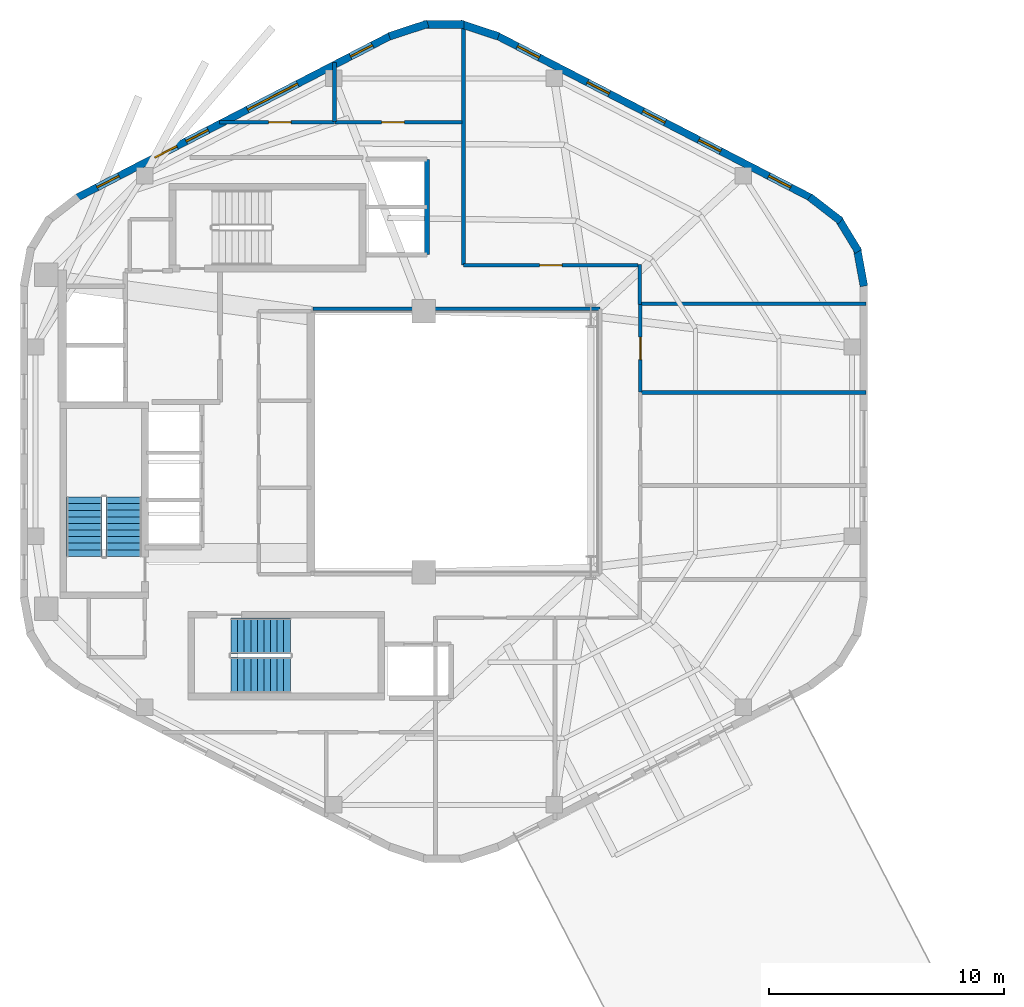
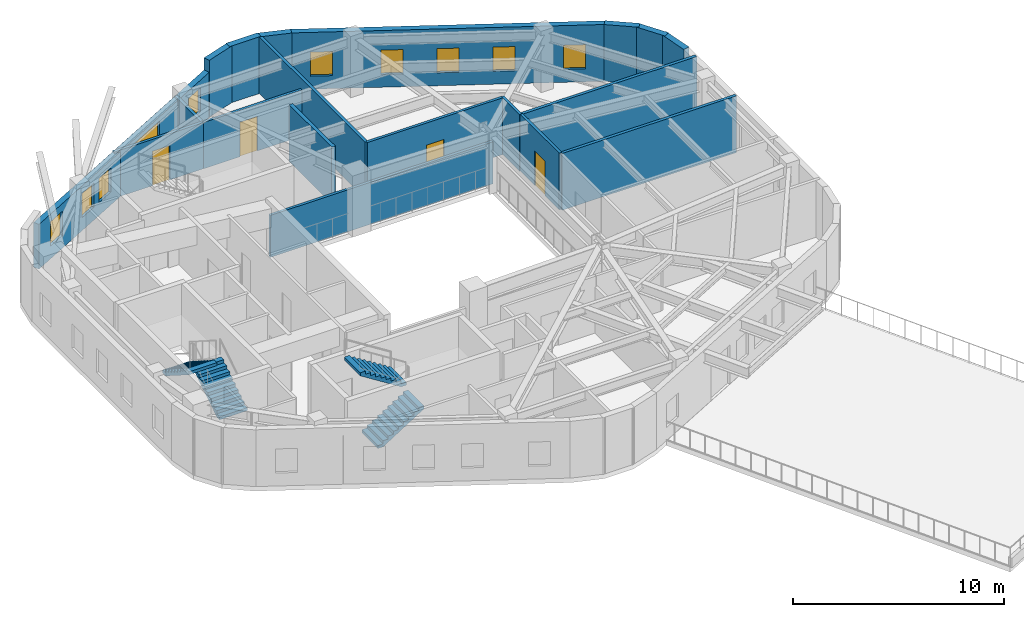
# One storey, part 5 of 8: 19 walls, 10 windows, 4 doors, 4 stair flights, 14 openings, 2 elements without a shape of their own.
"""IFC4 building model written with IfcOpenShell, lengths in metres."""

import ifcopenshell
import ifcopenshell.guid

model = None  # the IFC model being written
_history = None  # IfcOwnerHistory: only IFC2X3 demands one
_inside = {}  # id of a spatial element -> (the spatial element, [elements in it])
_under = {}  # id of a project, library or spatial element -> (it, [spatial elements below it])
_declared = {}  # id of a project -> (the project, [libraries it declares])
_typed = {}  # id of a type object -> (the type object, [elements of that type])
_made_of = {}  # id of a material, layer set ... -> (it, [elements and type objects made of it])


def new_model(schema):
    """Start an empty IFC model of exactly this schema.

    Asked for "IFC4X3", IfcOpenShell would pick the latest addendum, in which some entities
    have other attributes; the version numbers below select the first issue.
    IFC2X3 requires an IfcOwnerHistory on every rooted entity: one is made here for all.
    """
    global model, _history
    if schema == "IFC4X3":
        model = ifcopenshell.file(schema_version=(4, 3, 0, 0))
    else:
        model = ifcopenshell.file(schema=schema)
    _inside.clear()
    _under.clear()
    _declared.clear()
    _typed.clear()
    _made_of.clear()
    _history = None
    if model.schema == "IFC2X3":
        org = make("IfcOrganization", Name="unknown")
        user = make(
            "IfcPersonAndOrganization",
            ThePerson=make("IfcPerson", FamilyName="unknown"),
            TheOrganization=org,
        )
        app = make(
            "IfcApplication",
            ApplicationDeveloper=org,
            Version="unknown",
            ApplicationFullName="unknown",
            ApplicationIdentifier="unknown",
        )
        _history = make(
            "IfcOwnerHistory",
            OwningUser=user,
            OwningApplication=app,
            ChangeAction="ADDED",
            CreationDate=0,
        )
    return model


def make(cls, **values):
    """One entity of the class cls with the attributes given. An attribute that is None is left unset."""
    return model.create_entity(
        cls, **{name: value for name, value in values.items() if value is not None}
    )


def rooted(cls, **values):
    """An entity with a GlobalId (a new one), such as an element, a storey or a relation."""
    return make(cls, GlobalId=ifcopenshell.guid.new(), OwnerHistory=_history, **values)


def si_unit(unit_type, name, prefix=None):
    """IfcSIUnit, for example si_unit("LENGTHUNIT", "METRE", prefix="MILLI")."""
    return make("IfcSIUnit", UnitType=unit_type, Prefix=prefix, Name=name)


def assignment(units):
    """IfcUnitAssignment: the units of a project."""
    return None if units is None else make("IfcUnitAssignment", Units=units)


def point(xyz):
    """IfcCartesianPoint."""
    return None if xyz is None else make("IfcCartesianPoint", Coordinates=xyz)


def direction(xyz):
    """IfcDirection."""
    return None if xyz is None else make("IfcDirection", DirectionRatios=xyz)


def frame(location, z_axis=None, x_axis=None):
    """IfcAxis2Placement3D, a coordinate frame: its origin and axes. An axis left out is left unset."""
    return make(
        "IfcAxis2Placement3D",
        Location=point(location),
        Axis=direction(z_axis),
        RefDirection=direction(x_axis),
    )


def frame_2d(location, x_axis=None):
    """IfcAxis2Placement2D, a coordinate frame in the plane: its origin and x axis."""
    return make(
        "IfcAxis2Placement2D", Location=point(location), RefDirection=direction(x_axis)
    )


def origin():
    """The frame at (0, 0, 0) with its axes left unset."""
    return frame((0.0, 0.0, 0.0))


def place(relative_to, where):
    """IfcLocalPlacement: puts the frame where relative to a parent placement (None: the world)."""
    return make(
        "IfcLocalPlacement", PlacementRelTo=relative_to, RelativePlacement=where
    )


def context(
    kind, dimensions, precision=None, world=None, true_north=None, identifier=None
):
    """IfcGeometricRepresentationContext, for example the 3D "Model" context."""
    return make(
        "IfcGeometricRepresentationContext",
        ContextIdentifier=identifier,
        ContextType=kind,
        CoordinateSpaceDimension=dimensions,
        Precision=precision,
        WorldCoordinateSystem=world,
        TrueNorth=true_north,
    )


def subcontext(parent, identifier, kind, view, scale=None):
    """IfcGeometricRepresentationSubContext, for example "Body" below "Model"."""
    return make(
        "IfcGeometricRepresentationSubContext",
        ContextIdentifier=identifier,
        ContextType=kind,
        ParentContext=parent,
        TargetScale=scale,
        TargetView=view,
    )


def project(units=None, contexts=None):
    """IfcProject with its units and contexts."""
    return rooted(
        "IfcProject",
        Name="project",
        RepresentationContexts=contexts,
        UnitsInContext=assignment(units),
    )


def spatial(cls, under=None, at=None, **own):
    """A site, building, storey or space (cls), placed at a placement, below another one or the project."""
    s = rooted(cls, ObjectPlacement=at, **own)
    if under is not None:
        _under.setdefault(under.id(), (under, []))[1].append(s)
    return s


def polyline(points):
    """IfcPolyline through the points."""
    return make("IfcPolyline", Points=[point(p) for p in points])


def profile(cls, at=None, kind="AREA", **sizes):
    """A parametric profile (cls). Its sizes go by their IFC names, for example OverallWidth=200.0."""
    return make(cls, ProfileType=kind, Position=at, **sizes)


def rectangle(**sizes):
    """IfcRectangleProfileDef."""
    return profile("IfcRectangleProfileDef", **sizes)


def outline(outer, holes=None, kind="AREA"):
    """IfcArbitraryClosedProfileDef: a profile drawn as a closed curve; with holes, ...WithVoids."""
    if holes is None:
        return make("IfcArbitraryClosedProfileDef", ProfileType=kind, OuterCurve=outer)
    return make(
        "IfcArbitraryProfileDefWithVoids",
        ProfileType=kind,
        OuterCurve=outer,
        InnerCurves=holes,
    )


def extrude(swept, where, along, depth):
    """IfcExtrudedAreaSolid: the profile swept, set in the frame where, extruded along a direction by depth."""
    return make(
        "IfcExtrudedAreaSolid",
        SweptArea=swept,
        Position=where,
        ExtrudedDirection=direction(along),
        Depth=depth,
    )


def shape(context_of_items, identifier, shape_type, items):
    """IfcShapeRepresentation: the items that make up one representation, for example the "Body"."""
    return make(
        "IfcShapeRepresentation",
        ContextOfItems=context_of_items,
        RepresentationIdentifier=identifier,
        RepresentationType=shape_type,
        Items=items,
    )


def material(Name=None, Category=None):
    """IfcMaterial."""
    return make("IfcMaterial", Name=Name, Category=Category)


def layer(
    of_material, thickness, ventilated=None, Name=None, Category=None, Priority=None
):
    """IfcMaterialLayer: one layer of a wall or slab, of a material (None: an air gap)."""
    return make(
        "IfcMaterialLayer",
        Material=of_material,
        LayerThickness=thickness,
        IsVentilated=ventilated,
        Name=Name,
        Category=Category,
        Priority=Priority,
    )


def layer_set(layers, Name=None):
    """IfcMaterialLayerSet."""
    return make("IfcMaterialLayerSet", MaterialLayers=layers, LayerSetName=Name)


def made_of(thing, what):
    """Note that an element or type object is made of a material, layer set ...; save() writes the relation."""
    if what is not None:
        _made_of.setdefault(what.id(), (what, []))[1].append(thing)
    return thing


def type_object(cls, material=None, **own):
    """A type object (cls), such as IfcWallType, which elements share."""
    return made_of(rooted(cls, **own), material)


def element(
    cls,
    number,
    at=None,
    inside=None,
    cuts=None,
    type_object=None,
    material=None,
    context=None,
    identifier="Body",
    shape_type=None,
    held_by="IfcProductDefinitionShape",
    body=None,
    shapes=None,
    **own,
):
    """One element of the class cls, such as IfcWall. Its Tag is "e" and its number.

    at: its placement. inside: the storey or other place that contains it. cuts: it is an
    opening in that element (IfcRelVoidsElement). A single representation is given by context,
    identifier, shape_type and body (its items); several are given by shapes. held_by: the class
    of the entity that holds the representations. save() writes the other relations.
    """
    e = rooted(cls, Tag="e%d" % number, ObjectPlacement=at, **own)
    if body is not None:
        shapes = [shape(context, identifier, shape_type, body)]
    if shapes is not None:
        e.Representation = make(held_by, Representations=shapes)
    if inside is not None:
        _inside.setdefault(inside.id(), (inside, []))[1].append(e)
    if cuts is not None:
        rooted(
            "IfcRelVoidsElement", RelatingBuildingElement=cuts, RelatedOpeningElement=e
        )
    if type_object is not None:
        _typed.setdefault(type_object.id(), (type_object, []))[1].append(e)
    return made_of(e, material)


def fill(opening, filler):
    """IfcRelFillsElement: the door or window that sits in an opening."""
    return rooted(
        "IfcRelFillsElement",
        RelatingOpeningElement=opening,
        RelatedBuildingElement=filler,
    )


def aggregate(whole, parts):
    """IfcRelAggregates: a whole, such as a stair, and the parts it consists of."""
    return rooted("IfcRelAggregates", RelatingObject=whole, RelatedObjects=parts)


def save(model, path):
    """Write the relations noted so far, then the file.

    IfcRelAggregates (storeys below a building ...), IfcRelContainedInSpatialStructure (elements
    in a storey), IfcRelDefinesByType, IfcRelAssociatesMaterial and IfcRelDeclares: one each for
    every whole, place, type object, material and project.
    """
    for whole, parts in _under.values():
        aggregate(whole, parts)
    for where, things in _inside.values():
        rooted(
            "IfcRelContainedInSpatialStructure",
            RelatedElements=things,
            RelatingStructure=where,
        )
    for kind, things in _typed.values():
        rooted("IfcRelDefinesByType", RelatedObjects=things, RelatingType=kind)
    for what, things in _made_of.values():
        rooted("IfcRelAssociatesMaterial", RelatedObjects=things, RelatingMaterial=what)
    for by, libraries in _declared.values():
        rooted("IfcRelDeclares", RelatingContext=by, RelatedDefinitions=libraries)
    model.write(path)


model = new_model("IFC4")

# Units and contexts
model_context = context("Model", 3, precision=1e-05, world=origin(), true_north=direction((0.0, 1.0)))
body_context = subcontext(model_context, "Body", "Model", "MODEL_VIEW")
ifc_project = project(units=[si_unit("LENGTHUNIT", "METRE"), si_unit("AREAUNIT", "SQUARE_METRE"), si_unit("VOLUMEUNIT", "CUBIC_METRE"), si_unit("PLANEANGLEUNIT", "RADIAN"), si_unit("MASSUNIT", "GRAM", prefix="KILO"), si_unit("THERMODYNAMICTEMPERATUREUNIT", "KELVIN"), si_unit("POWERUNIT", "WATT")], contexts=[model_context])

# Site, building, storey
site_placement = place(None, origin())
site = spatial("IfcSite", under=ifc_project, at=site_placement, CompositionType="ELEMENT")
building_placement = place(site_placement, origin())
building = spatial("IfcBuilding", under=site, at=building_placement, Name="Skarre Station Tower", CompositionType="ELEMENT")
storey_placement = place(building_placement, frame((0.0, 0.0, 245.449951171875)))
storey = spatial("IfcBuildingStorey", under=building, at=storey_placement, Name="L67", CompositionType="ELEMENT", Elevation=245.449951171875)

# Wall
ifc_material_1 = material(Name="Acoustic Steel-Stud Gypsum Partition", Category="steel")
ifc_layer_1 = layer(ifc_material_1, 0.14990234375, Name="Acoustic Steel-Stud Gypsum Partition")
ifc_layer_set_1 = layer_set([ifc_layer_1], Name="Acoustic Steel-Stud Gypsum Partition")
wall_type_1 = type_object("IfcWallType", Name="Fire-Rated Corridor Acoustic Partition 150", PredefinedType="PARTITIONING", material=ifc_layer_set_1)
wall_1_placement = place(storey_placement, frame((39.840087890625, 29.639892578125, 0.0), z_axis=(0.0, 0.0, 1.0), x_axis=(-1.0, 0.0, 0.0)))
element("IfcWall", 1, at=wall_1_placement, inside=storey, type_object=wall_type_1, Name="L67 Interior Partition WL-PT-L67-ATRW-N", PredefinedType="PARTITIONING", context=body_context, shape_type="SweptSolid", body=[
    extrude(rectangle(XDim=12.203125, YDim=0.14990234375, at=frame_2d((6.1015625, 0.0))), origin(), (0.0, 0.0, 1.0), 2.43115234375),
])

# Wall, opening, door
wall_2_placement = place(storey_placement, frame((28.551025390625, 37.580078125, 0.0), z_axis=(0.0, 0.0, 1.0), x_axis=(-1.0, 0.0, 0.0)))
wall_2 = element("IfcWall", 2, at=wall_2_placement, inside=storey, type_object=wall_type_1, Name="L67 Interior Partition WL-PT-L67-NWW1-CW", PredefinedType="PARTITIONING", context=body_context, shape_type="SweptSolid", body=[
    extrude(rectangle(XDim=4.888916015625, YDim=0.14990234375, at=frame_2d((2.4443359375, 0.0))), origin(), (0.0, 0.0, 1.0), 2.68212890625),
])
opening_1_placement = place(wall_2_placement, frame((1.845947265625, 0.0, 0.0)))
opening_1 = element("IfcOpeningElement", 3, at=opening_1_placement, cuts=wall_2, Name="Opening DR-FD60", PredefinedType="OPENING", context=body_context, shape_type="SweptSolid", body=[
    extrude(rectangle(XDim=0.9599609375, YDim=2.0, at=frame_2d((0.47998046875, 1.0))), frame((0.0, 0.0849609375, 0.0), z_axis=(0.0, -1.0, 0.0), x_axis=(1.0, 0.0, 0.0)), (0.0, 0.0, 1.0), 0.169921875),
])
ifc_material_2 = material(Name="Nordic White-Oak Veneer Solid-Core Fire Leaf", Category="wood")
door_type = type_object("IfcDoorType", Name="Corridor Suite Entry Fire Door FD60 960x2150", OperationType="SINGLE_SWING_LEFT", PredefinedType="DOOR", material=ifc_material_2)
door_1_placement = place(opening_1_placement, origin())
door_1 = element("IfcDoor", 4, at=door_1_placement, inside=storey, type_object=door_type, Name="L67 NWW1 Entry Door", OperationType="SINGLE_SWING_LEFT", OverallHeight=2.0, OverallWidth=0.9599609375, PredefinedType="DOOR", context=body_context, shape_type="SweptSolid", body=[
    extrude(rectangle(XDim=0.9599609375, YDim=2.0, at=frame_2d((0.47998046875, 1.0))), frame((0.0, 0.02490234375, 0.0), z_axis=(0.0, -1.0, 0.0), x_axis=(1.0, 0.0, 0.0)), (0.0, 0.0, 1.0), 0.050048828125),
])
fill(opening_1, door_1)

wall_3_placement = place(storey_placement, frame((33.9619140625, 37.580078125, 0.0), z_axis=(0.0, 0.0, 1.0), x_axis=(-1.0, 0.0, 0.0)))
wall_3 = element("IfcWall", 5, at=wall_3_placement, inside=storey, type_object=wall_type_1, Name="L67 Interior Partition WL-PT-L67-NWW2-CW", PredefinedType="PARTITIONING", context=body_context, shape_type="SweptSolid", body=[
    extrude(rectangle(XDim=5.40087890625, YDim=0.14990234375, at=frame_2d((2.700439453125, 0.0))), origin(), (0.0, 0.0, 1.0), 2.68212890625),
])
opening_2_placement = place(wall_3_placement, frame((2.445068359375, 0.0, 0.0)))
opening_2 = element("IfcOpeningElement", 6, at=opening_2_placement, cuts=wall_3, Name="Opening DR-FD60", PredefinedType="OPENING", context=body_context, shape_type="SweptSolid", body=[
    extrude(rectangle(XDim=0.9599609375, YDim=2.0, at=frame_2d((0.47998046875, 1.0))), frame((0.0, 0.0849609375, 0.0), z_axis=(0.0, -1.0, 0.0), x_axis=(1.0, 0.0, 0.0)), (0.0, 0.0, 1.0), 0.169921875),
])
door_2_placement = place(opening_2_placement, origin())
door_2 = element("IfcDoor", 7, at=door_2_placement, inside=storey, type_object=door_type, Name="L67 NWW2 Entry Door", OperationType="SINGLE_SWING_LEFT", OverallHeight=2.0, OverallWidth=0.9599609375, PredefinedType="DOOR", context=body_context, shape_type="SweptSolid", body=[
    extrude(rectangle(XDim=0.9599609375, YDim=2.0, at=frame_2d((0.47998046875, 1.0))), frame((0.0, 0.02490234375, 0.0), z_axis=(0.0, -1.0, 0.0), x_axis=(1.0, 0.0, 0.0)), (0.0, 0.0, 1.0), 0.050048828125),
])
fill(opening_2, door_2)

# Wall
wall_4_placement = place(storey_placement, frame((41.52001953125, 29.820068359375, 0.0), z_axis=(0.0, 0.0, 1.0), x_axis=(0.0, 1.0, 0.0)))
element("IfcWall", 8, at=wall_4_placement, inside=storey, type_object=wall_type_1, Name="L67 Interior Partition WL-PT-L67-CORR-NER", PredefinedType="PARTITIONING", context=body_context, shape_type="SweptSolid", body=[
    extrude(rectangle(XDim=1.719970703125, YDim=0.14990234375, at=frame_2d((0.85986328125, 0.0))), origin(), (0.0, 0.0, 1.0), 3.2900390625),
])

# Wall, opening, door
wall_5_placement = place(storey_placement, frame((41.4599609375, 31.5, 0.0), z_axis=(0.0, 0.0, 1.0), x_axis=(-1.0, 0.0, 0.0)))
wall_5 = element("IfcWall", 9, at=wall_5_placement, inside=storey, type_object=wall_type_1, Name="L67 Interior Partition WL-PT-L67-NW1-CW", PredefinedType="PARTITIONING", context=body_context, shape_type="SweptSolid", body=[
    extrude(rectangle(XDim=7.419921875, YDim=0.14990234375, at=frame_2d((3.7099609375, 0.0))), origin(), (0.0, 0.0, 1.0), 3.2900390625),
])
opening_3_placement = place(wall_5_placement, frame((3.22998046875, 0.0, 0.0)))
opening_3 = element("IfcOpeningElement", 10, at=opening_3_placement, cuts=wall_5, Name="Opening DR-FD60", PredefinedType="OPENING", context=body_context, shape_type="SweptSolid", body=[
    extrude(rectangle(XDim=0.9599609375, YDim=2.0, at=frame_2d((0.47998046875, 1.0))), frame((0.0, 0.0849609375, 0.0), z_axis=(0.0, -1.0, 0.0), x_axis=(1.0, 0.0, 0.0)), (0.0, 0.0, 1.0), 0.169921875),
])
door_3_placement = place(opening_3_placement, origin())
door_3 = element("IfcDoor", 11, at=door_3_placement, inside=storey, type_object=door_type, Name="L67 NW1 Entry Door", OperationType="SINGLE_SWING_LEFT", OverallHeight=2.0, OverallWidth=0.9599609375, PredefinedType="DOOR", context=body_context, shape_type="SweptSolid", body=[
    extrude(rectangle(XDim=0.9599609375, YDim=2.0, at=frame_2d((0.47998046875, 1.0))), frame((0.0, 0.02490234375, 0.0), z_axis=(0.0, -1.0, 0.0), x_axis=(1.0, 0.0, 0.0)), (0.0, 0.0, 1.0), 0.050048828125),
])
fill(opening_3, door_3)

wall_6_placement = place(storey_placement, frame((41.56005859375, 26.113037109375, 0.0), z_axis=(0.0, 0.0, 1.0), x_axis=(0.0, 1.0, 0.0)))
wall_6 = element("IfcWall", 12, at=wall_6_placement, inside=storey, type_object=wall_type_1, Name="L67 Interior Partition WL-PT-L67-EW3-CW", PredefinedType="PARTITIONING", context=body_context, shape_type="SweptSolid", body=[
    extrude(rectangle(XDim=3.70703125, YDim=0.14990234375, at=frame_2d((1.853515625, 0.0))), origin(), (0.0, 0.0, 1.0), 3.2900390625),
])
opening_4_placement = place(wall_6_placement, frame((1.3740234375, 0.0, 0.0)))
opening_4 = element("IfcOpeningElement", 13, at=opening_4_placement, cuts=wall_6, Name="Opening DR-FD60", PredefinedType="OPENING", context=body_context, shape_type="SweptSolid", body=[
    extrude(rectangle(XDim=0.9599609375, YDim=2.0, at=frame_2d((0.47998046875, 1.0))), frame((0.0, 0.0849609375, 0.0), z_axis=(0.0, -1.0, 0.0), x_axis=(1.0, 0.0, 0.0)), (0.0, 0.0, 1.0), 0.169921875),
])
door_4_placement = place(opening_4_placement, origin())
door_4 = element("IfcDoor", 14, at=door_4_placement, inside=storey, type_object=door_type, Name="L67 EW3 Entry Door", OperationType="SINGLE_SWING_LEFT", OverallHeight=2.0, OverallWidth=0.9599609375, PredefinedType="DOOR", context=body_context, shape_type="SweptSolid", body=[
    extrude(rectangle(XDim=0.9599609375, YDim=2.0, at=frame_2d((0.47998046875, 1.0))), frame((0.0, 0.02490234375, 0.0), z_axis=(0.0, -1.0, 0.0), x_axis=(1.0, 0.0, 0.0)), (0.0, 0.0, 1.0), 0.050048828125),
])
fill(opening_4, door_4)

# Walls
ifc_material_3 = material(Name="Precast concrete C45/55", Category="concrete")
ifc_layer_2 = layer(ifc_material_3, 0.330078125, Name="Precast concrete C45/55")
ifc_layer_set_2 = layer_set([ifc_layer_2], Name="Precast concrete C45/55")
wall_type_2 = type_object("IfcWallType", Name="Nordic Rounded Corner Precast Wall 330", PredefinedType="STANDARD", material=ifc_layer_set_2)
wall_7_placement = place(storey_placement, frame((48.7529296875, 34.40087890625, 0.0), z_axis=(0.0, 0.0, 1.0), x_axis=(0.790691856293, -0.61221433207, 0.0)))
element("IfcWall", 15, at=wall_7_placement, inside=storey, type_object=wall_type_2, Name="L67 Rounded Corner Precast Wall F0-1", PredefinedType="STANDARD", context=body_context, shape_type="SweptSolid", body=[
    extrude(rectangle(XDim=1.67578125, YDim=0.330078125, at=frame_2d((0.837890625, 0.0))), origin(), (0.0, 0.0, 1.0), 3.2900390625),
])
wall_8_placement = place(storey_placement, frame((49.952880859375, 33.514892578125, 0.0), z_axis=(0.0, 0.0, 1.0), x_axis=(0.520325409202, -0.853968072318, 0.0)))
element("IfcWall", 16, at=wall_8_placement, inside=storey, type_object=wall_type_2, Name="L67 Rounded Corner Precast Wall F0-2", PredefinedType="STANDARD", context=body_context, shape_type="SweptSolid", body=[
    extrude(rectangle(XDim=1.677978515625, YDim=0.330078125, at=frame_2d((0.8388671875, 0.0))), origin(), (0.0, 0.0, 1.0), 3.2900390625),
])
wall_9_placement = place(storey_placement, frame((50.759033203125, 32.257080078125, 0.0), z_axis=(0.0, 0.0, 1.0), x_axis=(0.180691763044, -0.983539773862, 0.0)))
element("IfcWall", 17, at=wall_9_placement, inside=storey, type_object=wall_type_2, Name="L67 Rounded Corner Precast Wall F0-3", PredefinedType="STANDARD", context=body_context, shape_type="SweptSolid", body=[
    extrude(rectangle(XDim=1.6767578125, YDim=0.330078125, at=frame_2d((0.83837890625, 0.0))), origin(), (0.0, 0.0, 1.0), 3.2900390625),
])
wall_10_placement = place(storey_placement, frame((30.882080078125, 41.23095703125, 0.0), z_axis=(0.0, 0.0, 1.0), x_axis=(0.949713440491, 0.313120393699, 0.0)))
element("IfcWall", 18, at=wall_10_placement, inside=storey, type_object=wall_type_2, Name="L67 Rounded Corner Precast Wall F1-1", PredefinedType="STANDARD", context=body_context, shape_type="SweptSolid", body=[
    extrude(rectangle(XDim=1.7216796875, YDim=0.330078125, at=frame_2d((0.86083984375, 0.0))), origin(), (0.0, 0.0, 1.0), 3.2900390625),
])
wall_11_placement = place(storey_placement, frame((32.339111328125, 41.740966796875, 0.0), z_axis=(0.0, 0.0, 1.0), x_axis=(1.0, 0.0, 0.0)))
element("IfcWall", 19, at=wall_11_placement, inside=storey, type_object=wall_type_2, Name="L67 Rounded Corner Precast Wall F1-2", PredefinedType="STANDARD", context=body_context, shape_type="SweptSolid", body=[
    extrude(rectangle(XDim=1.721923828125, YDim=0.330078125, at=frame_2d((0.86083984375, 0.0))), origin(), (0.0, 0.0, 1.0), 3.2900390625),
])
wall_12_placement = place(storey_placement, frame((33.883056640625, 41.77001953125, 0.0), z_axis=(0.0, 0.0, 1.0), x_axis=(0.949713440491, -0.313120393699, 0.0)))
element("IfcWall", 20, at=wall_12_placement, inside=storey, type_object=wall_type_2, Name="L67 Rounded Corner Precast Wall F1-3", PredefinedType="STANDARD", context=body_context, shape_type="SweptSolid", body=[
    extrude(rectangle(XDim=1.7216796875, YDim=0.330078125, at=frame_2d((0.86083984375, 0.0))), origin(), (0.0, 0.0, 1.0), 3.2900390625),
])

# Wall, openings, windows
ifc_layer_3 = layer(ifc_material_3, 0.31005859375, Name="Precast concrete C45/55")
ifc_layer_set_3 = layer_set([ifc_layer_3], Name="Precast concrete C45/55")
wall_type_3 = type_object("IfcWallType", Name="Nordic Upper-Zone Precast Facet Wall 310", PredefinedType="STANDARD", material=ifc_layer_set_3)
wall_13_placement = place(storey_placement, frame((35.43701171875, 41.27001953125, 0.0), z_axis=(0.0, 0.0, 1.0), x_axis=(0.888581481622, -0.458718814218, 0.0)))
wall_13 = element("IfcWall", 21, at=wall_13_placement, inside=storey, type_object=wall_type_3, Name="L67 Facet 0 Nordic Precast Masonry Wall", PredefinedType="STANDARD", context=body_context, shape_type="SweptSolid", body=[
    extrude(rectangle(XDim=15.076904296875, YDim=0.31005859375, at=frame_2d((7.53857421875, 0.0))), origin(), (0.0, 0.0, 1.0), 3.2900390625),
])
opening_5_placement = place(wall_13_placement, frame((0.998046875, 0.0, 0.75)))
opening_5 = element("IfcOpeningElement", 22, at=opening_5_placement, cuts=wall_13, Name="Opening WN-SLT", PredefinedType="OPENING", context=body_context, shape_type="SweptSolid", body=[
    extrude(rectangle(XDim=1.050048828125, YDim=1.39990234375, at=frame_2d((0.52490234375, 0.699951171875))), frame((0.0, 0.1650390625, 0.0), z_axis=(0.0, -1.0, 0.0), x_axis=(1.0, 0.0, 0.0)), (0.0, 0.0, 1.0), 0.330078125),
])
opening_6_placement = place(wall_13_placement, frame((4.343994140625, 0.0, 0.75)))
opening_6 = element("IfcOpeningElement", 23, at=opening_6_placement, cuts=wall_13, Name="Opening WN-SLT", PredefinedType="OPENING", context=body_context, shape_type="SweptSolid", body=[
    extrude(rectangle(XDim=1.050048828125, YDim=1.39990234375, at=frame_2d((0.52490234375, 0.699951171875))), frame((0.0, 0.1650390625, 0.0), z_axis=(0.0, -1.0, 0.0), x_axis=(1.0, 0.0, 0.0)), (0.0, 0.0, 1.0), 0.330078125),
])
opening_7_placement = place(wall_13_placement, frame((7.012939453125, 0.0, 0.75)))
opening_7 = element("IfcOpeningElement", 24, at=opening_7_placement, cuts=wall_13, Name="Opening WN-SLT", PredefinedType="OPENING", context=body_context, shape_type="SweptSolid", body=[
    extrude(rectangle(XDim=1.050048828125, YDim=1.39990234375, at=frame_2d((0.52490234375, 0.699951171875))), frame((0.0, 0.1650390625, 0.0), z_axis=(0.0, -1.0, 0.0), x_axis=(1.0, 0.0, 0.0)), (0.0, 0.0, 1.0), 0.330078125),
])
opening_8_placement = place(wall_13_placement, frame((9.680908203125, 0.0, 0.75)))
opening_8 = element("IfcOpeningElement", 25, at=opening_8_placement, cuts=wall_13, Name="Opening WN-SLT", PredefinedType="OPENING", context=body_context, shape_type="SweptSolid", body=[
    extrude(rectangle(XDim=1.050048828125, YDim=1.39990234375, at=frame_2d((0.52490234375, 0.699951171875))), frame((0.0, 0.1650390625, 0.0), z_axis=(0.0, -1.0, 0.0), x_axis=(1.0, 0.0, 0.0)), (0.0, 0.0, 1.0), 0.330078125),
])
opening_9_placement = place(wall_13_placement, frame((13.029052734375, 0.0, 0.75)))
opening_9 = element("IfcOpeningElement", 26, at=opening_9_placement, cuts=wall_13, Name="Opening WN-SLT", PredefinedType="OPENING", context=body_context, shape_type="SweptSolid", body=[
    extrude(rectangle(XDim=1.050048828125, YDim=1.39990234375, at=frame_2d((0.52490234375, 0.699951171875))), frame((0.0, 0.1650390625, 0.0), z_axis=(0.0, -1.0, 0.0), x_axis=(1.0, 0.0, 0.0)), (0.0, 0.0, 1.0), 0.330078125),
])
ifc_material_4 = material(Name="Low-Iron Triple Glazing with Bronze Anodized Frame", Category="glass")
window_type_1 = type_object("IfcWindowType", Name="Nordic Corner Slot Window 1050x1400", PartitioningType="SINGLE_PANEL", PredefinedType="WINDOW", material=ifc_material_4)
window_1_placement = place(opening_5_placement, origin())
window_1 = element("IfcWindow", 27, at=window_1_placement, inside=storey, type_object=window_type_1, Name="L67 Facade Window WL-FAC-L67-F0-1", OverallHeight=1.39990234375, OverallWidth=1.050048828125, PartitioningType="SINGLE_PANEL", PredefinedType="WINDOW", context=body_context, shape_type="SweptSolid", body=[
    extrude(rectangle(XDim=1.050048828125, YDim=1.39990234375, at=frame_2d((0.52490234375, 0.699951171875))), frame((0.0, 0.030029296875, 0.0), z_axis=(0.0, -1.0, 0.0), x_axis=(1.0, 0.0, 0.0)), (0.0, 0.0, 1.0), 0.06005859375),
])
fill(opening_5, window_1)
window_2_placement = place(opening_6_placement, origin())
window_2 = element("IfcWindow", 28, at=window_2_placement, inside=storey, type_object=window_type_1, Name="L67 Facade Window WL-FAC-L67-F0-2", OverallHeight=1.39990234375, OverallWidth=1.050048828125, PartitioningType="SINGLE_PANEL", PredefinedType="WINDOW", context=body_context, shape_type="SweptSolid", body=[
    extrude(rectangle(XDim=1.050048828125, YDim=1.39990234375, at=frame_2d((0.52490234375, 0.699951171875))), frame((0.0, 0.030029296875, 0.0), z_axis=(0.0, -1.0, 0.0), x_axis=(1.0, 0.0, 0.0)), (0.0, 0.0, 1.0), 0.06005859375),
])
fill(opening_6, window_2)
window_3_placement = place(opening_7_placement, origin())
window_3 = element("IfcWindow", 29, at=window_3_placement, inside=storey, type_object=window_type_1, Name="L67 Facade Window WL-FAC-L67-F0-3", OverallHeight=1.39990234375, OverallWidth=1.050048828125, PartitioningType="SINGLE_PANEL", PredefinedType="WINDOW", context=body_context, shape_type="SweptSolid", body=[
    extrude(rectangle(XDim=1.050048828125, YDim=1.39990234375, at=frame_2d((0.52490234375, 0.699951171875))), frame((0.0, 0.030029296875, 0.0), z_axis=(0.0, -1.0, 0.0), x_axis=(1.0, 0.0, 0.0)), (0.0, 0.0, 1.0), 0.06005859375),
])
fill(opening_7, window_3)
window_4_placement = place(opening_8_placement, origin())
window_4 = element("IfcWindow", 30, at=window_4_placement, inside=storey, type_object=window_type_1, Name="L67 Facade Window WL-FAC-L67-F0-4", OverallHeight=1.39990234375, OverallWidth=1.050048828125, PartitioningType="SINGLE_PANEL", PredefinedType="WINDOW", context=body_context, shape_type="SweptSolid", body=[
    extrude(rectangle(XDim=1.050048828125, YDim=1.39990234375, at=frame_2d((0.52490234375, 0.699951171875))), frame((0.0, 0.030029296875, 0.0), z_axis=(0.0, -1.0, 0.0), x_axis=(1.0, 0.0, 0.0)), (0.0, 0.0, 1.0), 0.06005859375),
])
fill(opening_8, window_4)
window_5_placement = place(opening_9_placement, origin())
window_5 = element("IfcWindow", 31, at=window_5_placement, inside=storey, type_object=window_type_1, Name="L67 Facade Window WL-FAC-L67-F0-5", OverallHeight=1.39990234375, OverallWidth=1.050048828125, PartitioningType="SINGLE_PANEL", PredefinedType="WINDOW", context=body_context, shape_type="SweptSolid", body=[
    extrude(rectangle(XDim=1.050048828125, YDim=1.39990234375, at=frame_2d((0.52490234375, 0.699951171875))), frame((0.0, 0.030029296875, 0.0), z_axis=(0.0, -1.0, 0.0), x_axis=(1.0, 0.0, 0.0)), (0.0, 0.0, 1.0), 0.06005859375),
])
fill(opening_9, window_5)

wall_14_placement = place(storey_placement, frame((17.56591796875, 34.35400390625, 0.0), z_axis=(0.0, 0.0, 1.0), x_axis=(0.888581481622, 0.458718814218, 0.0)))
wall_14 = element("IfcWall", 32, at=wall_14_placement, inside=storey, type_object=wall_type_3, Name="L67 Facet 1 Nordic Precast Masonry Wall", PredefinedType="STANDARD", context=body_context, shape_type="SweptSolid", body=[
    extrude(rectangle(XDim=15.076904296875, YDim=0.31005859375, at=frame_2d((7.53857421875, 0.0))), origin(), (0.0, 0.0, 1.0), 2.593994140625),
])
opening_10_placement = place(wall_14_placement, frame((0.998046875, 0.0, 0.75)))
opening_10 = element("IfcOpeningElement", 33, at=opening_10_placement, cuts=wall_14, Name="Opening WN-SLT", PredefinedType="OPENING", context=body_context, shape_type="SweptSolid", body=[
    extrude(rectangle(XDim=1.050048828125, YDim=1.39990234375, at=frame_2d((0.52490234375, 0.699951171875))), frame((0.0, 0.1650390625, 0.0), z_axis=(0.0, -1.0, 0.0), x_axis=(1.0, 0.0, 0.0)), (0.0, 0.0, 1.0), 0.330078125),
])
opening_11_placement = place(wall_14_placement, frame((3.762939453125, 0.0, 0.75)))
opening_11 = element("IfcOpeningElement", 34, at=opening_11_placement, cuts=wall_14, Name="Opening WN-SLT", PredefinedType="OPENING", context=body_context, shape_type="SweptSolid", body=[
    extrude(rectangle(XDim=1.050048828125, YDim=1.39990234375, at=frame_2d((0.52490234375, 0.699951171875))), frame((0.0, 0.1650390625, 0.0), z_axis=(0.0, -1.0, 0.0), x_axis=(1.0, 0.0, 0.0)), (0.0, 0.0, 1.0), 0.330078125),
])
opening_12_placement = place(wall_14_placement, frame((5.264892578125, 0.0, 0.75)))
opening_12 = element("IfcOpeningElement", 35, at=opening_12_placement, cuts=wall_14, Name="Opening WN-SLT", PredefinedType="OPENING", context=body_context, shape_type="SweptSolid", body=[
    extrude(rectangle(XDim=1.050048828125, YDim=1.39990234375, at=frame_2d((0.52490234375, 0.699951171875))), frame((0.0, 0.1650390625, 0.0), z_axis=(0.0, -1.0, 0.0), x_axis=(1.0, 0.0, 0.0)), (0.0, 0.0, 1.0), 0.330078125),
])
opening_13_placement = place(wall_14_placement, frame((8.197021484375, 0.0, 0.75)))
opening_13 = element("IfcOpeningElement", 36, at=opening_13_placement, cuts=wall_14, Name="Opening WN-Z4A", PredefinedType="OPENING", context=body_context, shape_type="SweptSolid", body=[
    extrude(rectangle(XDim=2.39990234375, YDim=1.60009765625, at=frame_2d((1.199951171875, 0.800048828125))), frame((0.0, 0.1650390625, 0.0), z_axis=(0.0, -1.0, 0.0), x_axis=(1.0, 0.0, 0.0)), (0.0, 0.0, 1.0), 0.330078125),
])
opening_14_placement = place(wall_14_placement, frame((13.1259765625, 0.0, 0.75)))
opening_14 = element("IfcOpeningElement", 37, at=opening_14_placement, cuts=wall_14, Name="Opening WN-SLT", PredefinedType="OPENING", context=body_context, shape_type="SweptSolid", body=[
    extrude(rectangle(XDim=1.050048828125, YDim=1.39990234375, at=frame_2d((0.52490234375, 0.699951171875))), frame((0.0, 0.1650390625, 0.0), z_axis=(0.0, -1.0, 0.0), x_axis=(1.0, 0.0, 0.0)), (0.0, 0.0, 1.0), 0.330078125),
])
window_6_placement = place(opening_10_placement, origin())
window_6 = element("IfcWindow", 38, at=window_6_placement, inside=storey, type_object=window_type_1, Name="L67 Facade Window WL-FAC-L67-F1-1", OverallHeight=1.39990234375, OverallWidth=1.050048828125, PartitioningType="SINGLE_PANEL", PredefinedType="WINDOW", context=body_context, shape_type="SweptSolid", body=[
    extrude(rectangle(XDim=1.050048828125, YDim=1.39990234375, at=frame_2d((0.52490234375, 0.699951171875))), frame((0.0, 0.030029296875, 0.0), z_axis=(0.0, -1.0, 0.0), x_axis=(1.0, 0.0, 0.0)), (0.0, 0.0, 1.0), 0.06005859375),
])
fill(opening_10, window_6)
window_7_placement = place(opening_11_placement, origin())
window_7 = element("IfcWindow", 39, at=window_7_placement, inside=storey, type_object=window_type_1, Name="L67 Facade Window WL-FAC-L67-F1-2", OverallHeight=1.39990234375, OverallWidth=1.050048828125, PartitioningType="SINGLE_PANEL", PredefinedType="WINDOW", context=body_context, shape_type="SweptSolid", body=[
    extrude(rectangle(XDim=1.050048828125, YDim=1.39990234375, at=frame_2d((0.52490234375, 0.699951171875))), frame((0.0, 0.030029296875, 0.0), z_axis=(0.0, -1.0, 0.0), x_axis=(1.0, 0.0, 0.0)), (0.0, 0.0, 1.0), 0.06005859375),
])
fill(opening_11, window_7)
window_8_placement = place(opening_12_placement, origin())
window_8 = element("IfcWindow", 40, at=window_8_placement, inside=storey, type_object=window_type_1, Name="L67 Facade Window WL-FAC-L67-F1-3", OverallHeight=1.39990234375, OverallWidth=1.050048828125, PartitioningType="SINGLE_PANEL", PredefinedType="WINDOW", context=body_context, shape_type="SweptSolid", body=[
    extrude(rectangle(XDim=1.050048828125, YDim=1.39990234375, at=frame_2d((0.52490234375, 0.699951171875))), frame((0.0, 0.030029296875, 0.0), z_axis=(0.0, -1.0, 0.0), x_axis=(1.0, 0.0, 0.0)), (0.0, 0.0, 1.0), 0.06005859375),
])
fill(opening_12, window_8)
window_9_placement = place(opening_14_placement, origin())
window_9 = element("IfcWindow", 41, at=window_9_placement, inside=storey, type_object=window_type_1, Name="L67 Facade Window WL-FAC-L67-F1-5", OverallHeight=1.39990234375, OverallWidth=1.050048828125, PartitioningType="SINGLE_PANEL", PredefinedType="WINDOW", context=body_context, shape_type="SweptSolid", body=[
    extrude(rectangle(XDim=1.050048828125, YDim=1.39990234375, at=frame_2d((0.52490234375, 0.699951171875))), frame((0.0, 0.030029296875, 0.0), z_axis=(0.0, -1.0, 0.0), x_axis=(1.0, 0.0, 0.0)), (0.0, 0.0, 1.0), 0.06005859375),
])
fill(opening_14, window_9)
window_type_2 = type_object("IfcWindowType", Name="Nordic Crown Panorama Window 2400x1600", PartitioningType="SINGLE_PANEL", PredefinedType="WINDOW", material=ifc_material_4)
window_10_placement = place(opening_13_placement, origin())
window_10 = element("IfcWindow", 42, at=window_10_placement, inside=storey, type_object=window_type_2, Name="L67 Facade Window WL-FAC-L67-F1-4", OverallHeight=1.60009765625, OverallWidth=2.39990234375, PartitioningType="SINGLE_PANEL", PredefinedType="WINDOW", context=body_context, shape_type="SweptSolid", body=[
    extrude(rectangle(XDim=2.39990234375, YDim=1.60009765625, at=frame_2d((1.199951171875, 0.800048828125))), frame((0.0, 0.030029296875, 0.0), z_axis=(0.0, -1.0, 0.0), x_axis=(1.0, 0.0, 0.0)), (0.0, 0.0, 1.0), 0.06005859375),
])
fill(opening_13, window_10)

# Walls
ifc_material_5 = material(Name="Gypsum Concrete Shaft Assembly C30/37", Category="concrete")
ifc_layer_4 = layer(ifc_material_5, 0.199951171875, Name="Gypsum Concrete Shaft Assembly C30/37")
ifc_layer_set_4 = layer_set([ifc_layer_4], Name="Gypsum Concrete Shaft Assembly C30/37")
wall_type_4 = type_object("IfcWallType", Name="Shaft & Core Fire Partition 200", PredefinedType="PARTITIONING", material=ifc_layer_set_4)
wall_15_placement = place(storey_placement, frame((32.47998046875, 31.949951171875, 0.0), z_axis=(0.0, 0.0, 1.0), x_axis=(0.0, 1.0, 0.0)))
element("IfcWall", 43, at=wall_15_placement, inside=storey, type_object=wall_type_4, Name="L67 Interior Partition WL-PT-L67-EX-E", PredefinedType="PARTITIONING", context=body_context, shape_type="SweptSolid", body=[
    extrude(rectangle(XDim=4.050048828125, YDim=0.199951171875, at=frame_2d((2.02490234375, 0.0))), origin(), (0.0, 0.0, 1.0), 3.2900390625),
])
ifc_layer_5 = layer(ifc_material_1, 0.1650390625, Name="Acoustic Steel-Stud Gypsum Partition")
ifc_layer_set_5 = layer_set([ifc_layer_5], Name="Acoustic Steel-Stud Gypsum Partition")
wall_type_5 = type_object("IfcWallType", Name="Suite Demising Acoustic Partition 165", PredefinedType="PARTITIONING", material=ifc_layer_set_5)
wall_16_placement = place(storey_placement, frame((28.555908203125, 37.610107421875, 0.0), z_axis=(0.0, 0.0, 1.0), x_axis=(0.0, 1.0, 0.0)))
element("IfcWall", 44, at=wall_16_placement, inside=storey, type_object=wall_type_5, Name="L67 Interior Partition WL-PT-L67-NWW-P1", PredefinedType="PARTITIONING", context=body_context, shape_type="SweptSolid", body=[
    extrude(rectangle(XDim=2.512939453125, YDim=0.1650390625, at=frame_2d((1.25634765625, 0.0))), origin(), (0.0, 0.0, 1.0), 2.678955078125),
])
wall_17_placement = place(storey_placement, frame((34.0400390625, 31.5, 0.0), z_axis=(0.0, 0.0, 1.0), x_axis=(0.0, 1.0, 0.0)))
element("IfcWall", 45, at=wall_17_placement, inside=storey, type_object=wall_type_5, Name="L67 Interior Partition WL-PT-L67-NW-WBND", PredefinedType="PARTITIONING", context=body_context, shape_type="SweptSolid", body=[
    extrude(rectangle(XDim=10.318115234375, YDim=0.1650390625, at=frame_2d((5.1591796875, 0.0))), origin(), (0.0, 0.0, 1.0), 3.2900390625),
])
wall_18_placement = place(storey_placement, frame((41.52001953125, 29.860107421875, 0.0), z_axis=(0.0, 0.0, 1.0), x_axis=(1.0, 0.0, 0.0)))
element("IfcWall", 46, at=wall_18_placement, inside=storey, type_object=wall_type_5, Name="L67 Interior Partition WL-PT-L67-EWB-N", PredefinedType="PARTITIONING", context=body_context, shape_type="SweptSolid", body=[
    extrude(rectangle(XDim=9.623046875, YDim=0.1650390625, at=frame_2d((4.8115234375, 0.0))), origin(), (0.0, 0.0, 1.0), 3.2900390625),
])
wall_19_placement = place(storey_placement, frame((41.590087890625, 26.094970703125, 0.0), z_axis=(0.0, 0.0, 1.0), x_axis=(1.0, 0.0, 0.0)))
element("IfcWall", 47, at=wall_19_placement, inside=storey, type_object=wall_type_5, Name="L67 Interior Partition WL-PT-L67-EW-P2", PredefinedType="PARTITIONING", context=body_context, shape_type="SweptSolid", body=[
    extrude(rectangle(XDim=9.552978515625, YDim=0.1650390625, at=frame_2d((4.7763671875, 0.0))), origin(), (0.0, 0.0, 1.0), 3.2900390625),
])

# Stair, stair flights
ifc_material_6 = material(Name="Concrete C40/50", Category="concrete")
stair_type_1 = type_object("IfcStairType", Name="Reinforced Concrete Exit Stair ST-1", PredefinedType="HALF_TURN_STAIR", material=ifc_material_6)
stair_1_placement = place(storey_placement, origin())
stair_1 = element("IfcStair", 48, at=stair_1_placement, inside=storey, type_object=stair_type_1, Name="L67 Core Exit Stair ST-1", PredefinedType="HALF_TURN_STAIR")
stair_flight_type_1 = type_object("IfcStairFlightType", Name="Reinforced Concrete Stair Flight ST-1", PredefinedType="STRAIGHT", material=ifc_material_6)
stair_flight_1_placement = place(storey_placement, frame((19.590087890625, 19.1201171875, 0.0), z_axis=(0.0, 0.0, 1.0), x_axis=(0.0, 1.0, 0.0)))
stair_flight_1 = element("IfcStairFlight", 49, at=stair_flight_1_placement, type_object=stair_flight_type_1, Name="ST-1 flight 1", NumberOfRisers=10, NumberOfTreads=9, PredefinedType="STRAIGHT", RiserHeight=0.1775, TreadLength=0.28, context=body_context, shape_type="SweptSolid", body=[
    extrude(outline(polyline([(0.0, 0.0), (0.0, 0.177490234375), (0.280029296875, 0.177490234375), (0.280029296875, 0.35498046875), (0.56005859375, 0.35498046875), (0.56005859375, 0.532470703125), (0.840087890625, 0.532470703125), (0.840087890625, 0.7099609375), (1.1201171875, 0.7099609375), (1.1201171875, 0.887451171875), (1.39990234375, 0.887451171875), (1.39990234375, 1.06494140625), (1.679931640625, 1.06494140625), (1.679931640625, 1.242431640625), (1.9599609375, 1.242431640625), (1.9599609375, 1.419921875), (2.239990234375, 1.419921875), (2.239990234375, 1.597412109375), (2.52001953125, 1.597412109375), (2.52001953125, 1.77490234375), (2.52001953125, 1.419921875), (0.280029296875, 0.0), (0.0, 0.0)])), frame((0.0, 0.760009765625, 0.0), z_axis=(0.0, -1.0, 0.0), x_axis=(1.0, 0.0, 0.0)), (0.0, 0.0, 1.0), 1.52001953125),
])
stair_flight_2_placement = place(storey_placement, frame((17.909912109375, 21.639892578125, 1.775146484375), z_axis=(0.0, 0.0, 1.0), x_axis=(0.0, -1.0, 0.0)))
stair_flight_2 = element("IfcStairFlight", 50, at=stair_flight_2_placement, type_object=stair_flight_type_1, Name="ST-1 flight 2", NumberOfRisers=10, NumberOfTreads=9, PredefinedType="STRAIGHT", RiserHeight=0.1775, TreadLength=0.28, context=body_context, shape_type="SweptSolid", body=[
    extrude(outline(polyline([(0.0, 0.0), (0.0, 0.177490234375), (0.280029296875, 0.177490234375), (0.280029296875, 0.35498046875), (0.56005859375, 0.35498046875), (0.56005859375, 0.532470703125), (0.840087890625, 0.532470703125), (0.840087890625, 0.7099609375), (1.1201171875, 0.7099609375), (1.1201171875, 0.887451171875), (1.39990234375, 0.887451171875), (1.39990234375, 1.06494140625), (1.679931640625, 1.06494140625), (1.679931640625, 1.242431640625), (1.9599609375, 1.242431640625), (1.9599609375, 1.419921875), (2.239990234375, 1.419921875), (2.239990234375, 1.597412109375), (2.52001953125, 1.597412109375), (2.52001953125, 1.77490234375), (2.52001953125, 1.419921875), (0.280029296875, 0.0), (0.0, 0.0)])), frame((0.0, 0.760009765625, 0.0), z_axis=(0.0, -1.0, 0.0), x_axis=(1.0, 0.0, 0.0)), (0.0, 0.0, 1.0), 1.52001953125),
])
aggregate(stair_1, [stair_flight_1, stair_flight_2])

stair_type_2 = type_object("IfcStairType", Name="Reinforced Concrete Exit Stair ST-2", PredefinedType="HALF_TURN_STAIR", material=ifc_material_6)
stair_2_placement = place(storey_placement, origin())
stair_2 = element("IfcStair", 51, at=stair_2_placement, inside=storey, type_object=stair_type_2, Name="L67 Core Exit Stair ST-2", PredefinedType="HALF_TURN_STAIR")
stair_flight_type_2 = type_object("IfcStairFlightType", Name="Reinforced Concrete Stair Flight ST-2", PredefinedType="STRAIGHT", material=ifc_material_6)
stair_flight_3_placement = place(storey_placement, frame((24.14990234375, 14.06005859375, 0.0), z_axis=(0.0, 0.0, 1.0), x_axis=(1.0, 0.0, 0.0)))
stair_flight_3 = element("IfcStairFlight", 52, at=stair_flight_3_placement, type_object=stair_flight_type_2, Name="ST-2 flight 1", NumberOfRisers=10, NumberOfTreads=9, PredefinedType="STRAIGHT", RiserHeight=0.1775, TreadLength=0.28, context=body_context, shape_type="SweptSolid", body=[
    extrude(outline(polyline([(0.0, 0.0), (0.0, 0.177490234375), (0.280029296875, 0.177490234375), (0.280029296875, 0.35498046875), (0.56005859375, 0.35498046875), (0.56005859375, 0.532470703125), (0.840087890625, 0.532470703125), (0.840087890625, 0.7099609375), (1.1201171875, 0.7099609375), (1.1201171875, 0.887451171875), (1.39990234375, 0.887451171875), (1.39990234375, 1.06494140625), (1.679931640625, 1.06494140625), (1.679931640625, 1.242431640625), (1.9599609375, 1.242431640625), (1.9599609375, 1.419921875), (2.239990234375, 1.419921875), (2.239990234375, 1.597412109375), (2.52001953125, 1.597412109375), (2.52001953125, 1.77490234375), (2.52001953125, 1.419921875), (0.280029296875, 0.0), (0.0, 0.0)])), frame((0.0, 0.760009765625, 0.0), z_axis=(0.0, -1.0, 0.0), x_axis=(1.0, 0.0, 0.0)), (0.0, 0.0, 1.0), 1.52001953125),
])
stair_flight_4_placement = place(storey_placement, frame((26.669921875, 15.739990234375, 1.775146484375), z_axis=(0.0, 0.0, 1.0), x_axis=(-1.0, 0.0, 0.0)))
stair_flight_4 = element("IfcStairFlight", 53, at=stair_flight_4_placement, type_object=stair_flight_type_2, Name="ST-2 flight 2", NumberOfRisers=10, NumberOfTreads=9, PredefinedType="STRAIGHT", RiserHeight=0.1775, TreadLength=0.28, context=body_context, shape_type="SweptSolid", body=[
    extrude(outline(polyline([(0.0, 0.0), (0.0, 0.177490234375), (0.280029296875, 0.177490234375), (0.280029296875, 0.35498046875), (0.56005859375, 0.35498046875), (0.56005859375, 0.532470703125), (0.840087890625, 0.532470703125), (0.840087890625, 0.7099609375), (1.1201171875, 0.7099609375), (1.1201171875, 0.887451171875), (1.39990234375, 0.887451171875), (1.39990234375, 1.06494140625), (1.679931640625, 1.06494140625), (1.679931640625, 1.242431640625), (1.9599609375, 1.242431640625), (1.9599609375, 1.419921875), (2.239990234375, 1.419921875), (2.239990234375, 1.597412109375), (2.52001953125, 1.597412109375), (2.52001953125, 1.77490234375), (2.52001953125, 1.419921875), (0.280029296875, 0.0), (0.0, 0.0)])), frame((0.0, 0.760009765625, 0.0), z_axis=(0.0, -1.0, 0.0), x_axis=(1.0, 0.0, 0.0)), (0.0, 0.0, 1.0), 1.52001953125),
])
aggregate(stair_2, [stair_flight_3, stair_flight_4])

save(model, "model.ifc")
